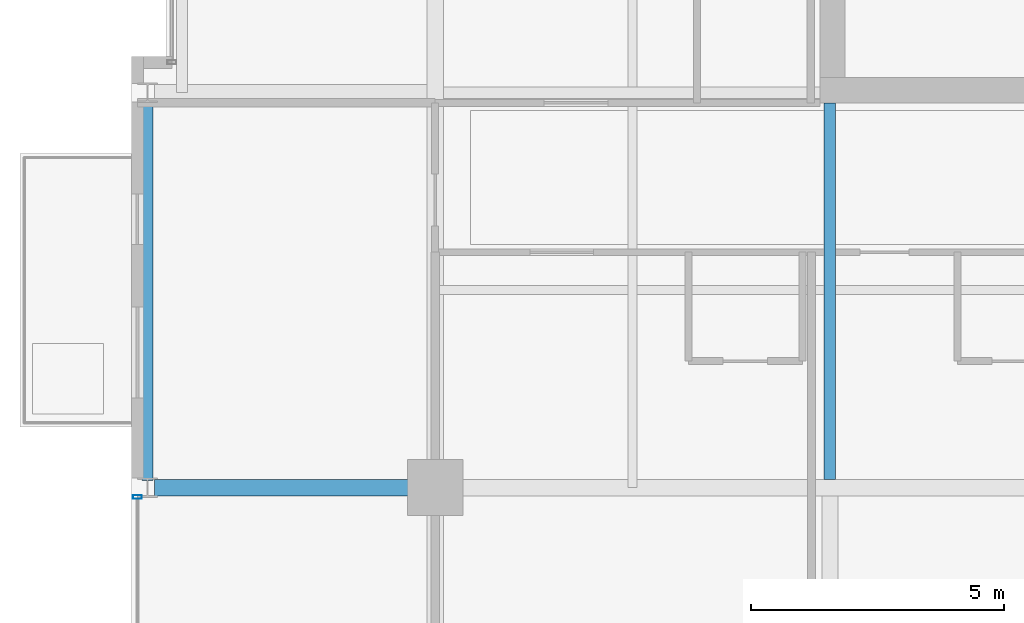
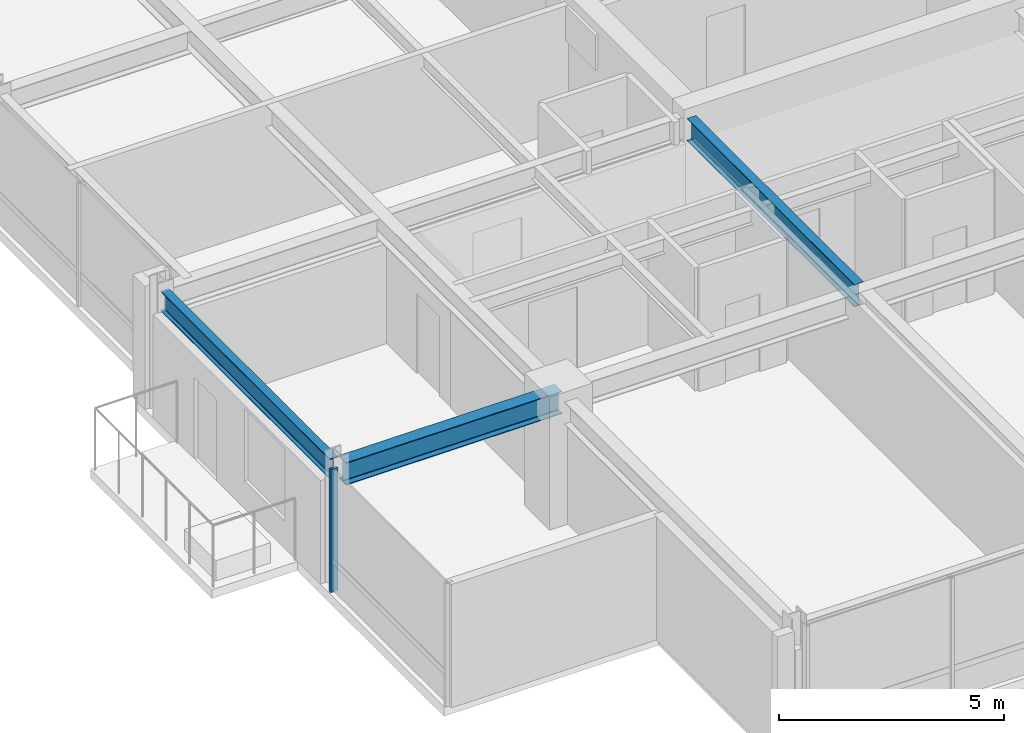
# One storey, part 4 of 32: 3 beams, 1 member, 1 element without a shape of its own.
"""IFC4 building model written with IfcOpenShell, lengths in metres."""

from ifc_helpers import new_model, si_unit, direction, frame, origin, origin_2d, place, context, subcontext, project, spatial, hollow_rectangle, i_section, extrude, material, layer, layer_set, material_profile, profile_set, type_object, element, aggregate, save


model = new_model("IFC4")

# Units and contexts
model_context = context("Model", 3, precision=1e-05, world=origin(), true_north=direction((0.0, 1.0)))
body_context = subcontext(model_context, "Body", "Model", "MODEL_VIEW")
ifc_project = project(units=[si_unit("LENGTHUNIT", "METRE"), si_unit("AREAUNIT", "SQUARE_METRE"), si_unit("VOLUMEUNIT", "CUBIC_METRE"), si_unit("PLANEANGLEUNIT", "RADIAN"), si_unit("MASSUNIT", "GRAM", prefix="KILO")], contexts=[model_context])

# Site, building, storey
site_placement = place(None, origin())
site = spatial("IfcSite", under=ifc_project, at=site_placement, CompositionType="ELEMENT")
building_placement = place(site_placement, origin())
building = spatial("IfcBuilding", under=site, at=building_placement, Name="Drelvath Grand Hotel", CompositionType="ELEMENT")
storey_placement = place(building_placement, frame((0.0, 0.0, 233.89990234375)))
storey = spatial("IfcBuildingStorey", under=building, at=storey_placement, Name="L61", CompositionType="ELEMENT", Elevation=233.89990234375)

# Curtain wall, member
ifc_material_1 = material(Name="Platinum-Mist Anodised Aluminium Frame", Category="aluminium")
ifc_layer = layer(ifc_material_1, 0.199951171875)
ifc_layer_set = layer_set([ifc_layer], Name="Platinum-Mist Anodised Aluminium Frame")
curtain_wall_type = type_object("IfcCurtainWallType", Name="Stick Curtain Wall CW-05 Platinum Mist High-Rise", PredefinedType="NOTDEFINED", material=ifc_layer_set)
curtain_wall_placement = place(storey_placement, origin())
curtain_wall = element("IfcCurtainWall", 1, at=curtain_wall_placement, inside=storey, type_object=curtain_wall_type, Name="L61 CW-05 Curtain Wall CW05-L61-WS1", PredefinedType="NOTDEFINED")
ifc_material_profile_1 = material_profile(ifc_material_1, hollow_rectangle(XDim=0.074951171875, YDim=0.179931640625, WallThickness=0.0048828125, at=origin_2d()), Name="HSS180X75X5")
ifc_profile_set_1 = profile_set([ifc_material_profile_1], Name="Platinum-Mist Anodised Aluminium Frame")
member_type = type_object("IfcMemberType", Name="Curtain Wall Vertical Mullion CW-05 HSS180X75X5", PredefinedType="MULLION", material=ifc_profile_set_1)
member_placement = place(storey_placement, frame((-22.080078125, 10.61474609375, 0.0), z_axis=(0.0, 0.0, 1.0), x_axis=(0.0, 1.0, 0.0)))
member = element("IfcMember", 2, at=member_placement, type_object=member_type, Name="CW05-L61-WS1 Mullion 2", PredefinedType="MULLION", context=body_context, shape_type="SweptSolid", body=[
    extrude(hollow_rectangle(XDim=0.074951171875, YDim=0.179931640625, WallThickness=0.0048828125, at=origin_2d()), origin(), (0.0, 0.0, 1.0), 3.340087890625),
])
aggregate(curtain_wall, [member])

# Beams
ifc_material_2 = material(Name="Steel ASTM A992 Gr 50", Category="steel")
ifc_material_profile_2 = material_profile(ifc_material_2, i_section(OverallWidth=0.210205078125, OverallDepth=0.53662109375, WebThickness=0.010986328125, FlangeThickness=0.017333984375, FilletRadius=0.01806640625, at=origin_2d()), Name="W21X68")
ifc_profile_set_2 = profile_set([ifc_material_profile_2], Name="Steel ASTM A992 Gr 50")
beam_type_1 = type_object("IfcBeamType", Name="Perimeter Spandrel Beam W21X68", PredefinedType="SPANDREL", material=ifc_profile_set_2)
beam_1_placement = place(storey_placement, frame((-21.8798828125, 10.93994140625, 3.07177734375), z_axis=(0.0, 1.0, 0.0), x_axis=(-1.0, 0.0, 0.0)))
element("IfcBeam", 3, at=beam_1_placement, inside=storey, type_object=beam_type_1, Name="L61 Spandrel West S", PredefinedType="SPANDREL", context=body_context, shape_type="SweptSolid", body=[
    extrude(i_section(OverallWidth=0.210205078125, OverallDepth=0.53662109375, WebThickness=0.010986328125, FlangeThickness=0.017333984375, FilletRadius=0.01806640625, at=origin_2d()), origin(), (0.0, 0.0, 1.0), 7.52001953125),
])
ifc_material_profile_3 = material_profile(ifc_material_2, i_section(OverallWidth=0.323974609375, OverallDepth=0.611083984375, WebThickness=0.0126953125, FlangeThickness=0.01904296875, FilletRadius=0.02197265625, at=origin_2d()), Name="W24X104")
ifc_profile_set_3 = profile_set([ifc_material_profile_3], Name="Steel ASTM A992 Gr 50")
beam_type_2 = type_object("IfcBeamType", Name="Primary Floor Girder W24X104", PredefinedType="BEAM", material=ifc_profile_set_3)
beam_2_placement = place(storey_placement, frame((-21.739990234375, 10.800048828125, 3.034423828125), z_axis=(1.0, 0.0, 0.0), x_axis=(0.0, 1.0, 0.0)))
element("IfcBeam", 4, at=beam_2_placement, inside=storey, type_object=beam_type_2, Name="L61 West Grid Girder C", PredefinedType="BEAM", context=body_context, shape_type="SweptSolid", body=[
    extrude(i_section(OverallWidth=0.323974609375, OverallDepth=0.611083984375, WebThickness=0.0126953125, FlangeThickness=0.01904296875, FilletRadius=0.02197265625, at=origin_2d()), origin(), (0.0, 0.0, 1.0), 5.5400390625),
])
ifc_material_profile_4 = material_profile(ifc_material_2, i_section(OverallWidth=0.228271484375, OverallDepth=0.607666015625, WebThickness=0.01123046875, FlangeThickness=0.017333984375, FilletRadius=0.02001953125, at=origin_2d()), Name="W24X76")
ifc_profile_set_4 = profile_set([ifc_material_profile_4], Name="Steel ASTM A992 Gr 50")
beam_type_3 = type_object("IfcBeamType", Name="Primary Floor Girder W24X76", PredefinedType="BEAM", material=ifc_profile_set_4)
beam_3_placement = place(storey_placement, frame((-8.39990234375, 10.9619140625, 3.036376953125), z_axis=(0.0, 1.0, 0.0), x_axis=(-1.0, 0.0, 0.0)))
element("IfcBeam", 5, at=beam_3_placement, inside=storey, type_object=beam_type_3, Name="L61 South Core Tie 4", PredefinedType="BEAM", context=body_context, shape_type="SweptSolid", body=[
    extrude(i_section(OverallWidth=0.228271484375, OverallDepth=0.607666015625, WebThickness=0.01123046875, FlangeThickness=0.017333984375, FilletRadius=0.02001953125, at=origin_2d()), origin(), (0.0, 0.0, 1.0), 7.43798828125),
])

save(model, "model.ifc")
